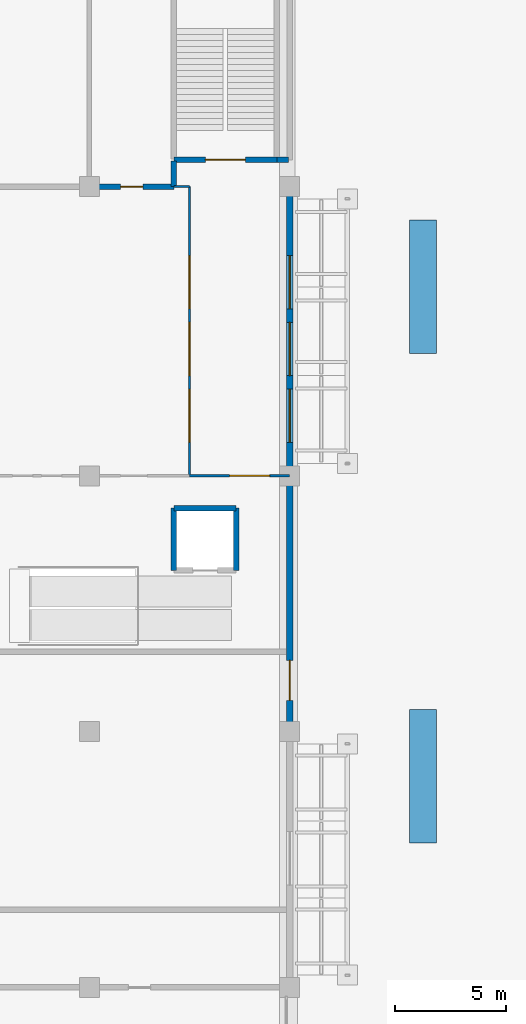
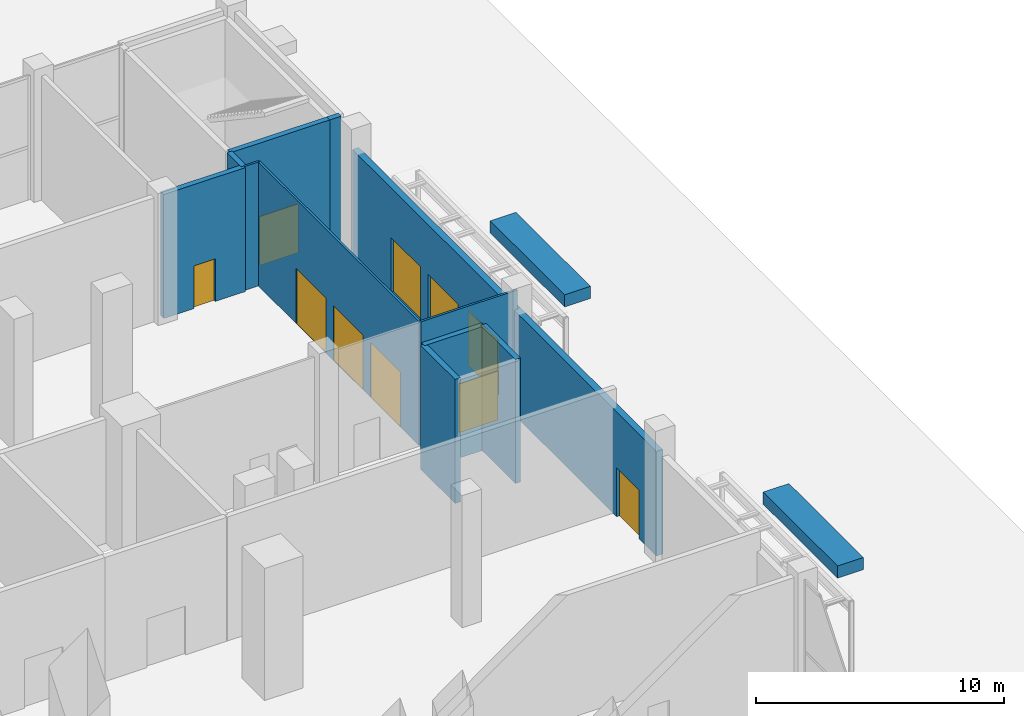
# One storey, part 35 of 39: 14 walls, 10 doors, 10 openings.
"""IFC4 building model written with IfcOpenShell, lengths in metres."""

from ifc_helpers import new_model, si_unit, direction, frame, frame_2d, origin, place, context, subcontext, project, spatial, rectangle, extrude, material, layer, layer_set, type_object, element, fill, save


model = new_model("IFC4")

# Units and contexts
model_context = context("Model", 3, precision=1e-05, world=origin(), true_north=direction((0.0, 1.0)))
body_context = subcontext(model_context, "Body", "Model", "MODEL_VIEW")
ifc_project = project(units=[si_unit("LENGTHUNIT", "METRE"), si_unit("AREAUNIT", "SQUARE_METRE"), si_unit("VOLUMEUNIT", "CUBIC_METRE"), si_unit("PLANEANGLEUNIT", "RADIAN"), si_unit("MASSUNIT", "GRAM", prefix="KILO")], contexts=[model_context])

# Site, building, storey
site_placement = place(None, origin())
site = spatial("IfcSite", under=ifc_project, at=site_placement, CompositionType="ELEMENT")
building_placement = place(site_placement, origin())
building = spatial("IfcBuilding", under=site, at=building_placement, Name="Brigalow Station Residences", CompositionType="ELEMENT")
storey_placement = place(building_placement, origin())
storey = spatial("IfcBuildingStorey", under=building, at=storey_placement, Name="L00", CompositionType="ELEMENT", Elevation=0.0)

# Wall, openings, doors
ifc_material_1 = material(Name="Glass and aluminium shopfront on a masonry base", Category="masonry")
ifc_layer_1 = layer(ifc_material_1, 0.300048828125)
ifc_layer_set_1 = layer_set([ifc_layer_1], Name="ENTRANCE INFILL 300")
wall_type_1 = type_object("IfcWallType", Name="ENTRANCE INFILL 300", PredefinedType="SOLIDWALL", material=ifc_layer_set_1)
wall_1_placement = place(storey_placement, frame((90.0, 35.5, 0.0), z_axis=(0.0, 0.0, 1.0), x_axis=(0.0, 1.0, 0.0)))
wall_1 = element("IfcWall", 1, at=wall_1_placement, inside=storey, type_object=wall_type_1, Name="Entrance Infill 300 East Entrance Vestibule / OUT", PredefinedType="SOLIDWALL", context=body_context, shape_type="SweptSolid", body=[
    extrude(rectangle(XDim=13.0, YDim=0.300048828125, at=frame_2d((6.5, 0.0))), origin(), (0.0, 0.0, 1.0), 5.14794921875),
])
opening_1_placement = place(wall_1_placement, frame((1.5, 0.0, 0.0)))
opening_1 = element("IfcOpeningElement", 2, at=opening_1_placement, cuts=wall_1, Name="Opening D-7117", PredefinedType="OPENING", context=body_context, shape_type="SweptSolid", body=[
    extrude(rectangle(XDim=2.39990234375, YDim=2.699951171875, at=frame_2d((1.199951171875, 1.35009765625))), frame((0.0, 0.16015625, 0.0), z_axis=(0.0, -1.0, 0.0), x_axis=(1.0, 0.0, 0.0)), (0.0, 0.0, 1.0), 0.320068359375),
])
opening_2_placement = place(wall_1_placement, frame((4.5, 0.0, 0.0)))
opening_2 = element("IfcOpeningElement", 3, at=opening_2_placement, cuts=wall_1, Name="Opening D-7118", PredefinedType="OPENING", context=body_context, shape_type="SweptSolid", body=[
    extrude(rectangle(XDim=2.39990234375, YDim=2.699951171875, at=frame_2d((1.199951171875, 1.35009765625))), frame((0.0, 0.16015625, 0.0), z_axis=(0.0, -1.0, 0.0), x_axis=(1.0, 0.0, 0.0)), (0.0, 0.0, 1.0), 0.320068359375),
])
opening_3_placement = place(wall_1_placement, frame((7.5, 0.0, 0.0)))
opening_3 = element("IfcOpeningElement", 4, at=opening_3_placement, cuts=wall_1, Name="Opening D-7119", PredefinedType="OPENING", context=body_context, shape_type="SweptSolid", body=[
    extrude(rectangle(XDim=2.39990234375, YDim=2.699951171875, at=frame_2d((1.199951171875, 1.35009765625))), frame((0.0, 0.16015625, 0.0), z_axis=(0.0, -1.0, 0.0), x_axis=(1.0, 0.0, 0.0)), (0.0, 0.0, 1.0), 0.320068359375),
])
ifc_material_2 = material(Name="Fire-rated glass leaves in steel frame", Category="steel")
door_type_1 = type_object("IfcDoorType", Name="DOOR DOUBLE 2400 GLAZED FIRE", OperationType="DOUBLE_DOOR_SINGLE_SWING", PredefinedType="DOOR", material=ifc_material_2)
door_1_placement = place(opening_1_placement, frame((2.39990234375, 0.0, 0.0), z_axis=(0.0, 0.0, 1.0), x_axis=(-1.0, 0.0, 0.0)))
door_1 = element("IfcDoor", 5, at=door_1_placement, inside=storey, type_object=door_type_1, Name="East entrance outer door 1", OperationType="DOUBLE_DOOR_SINGLE_SWING", OverallHeight=2.699951171875, OverallWidth=2.39990234375, PredefinedType="DOOR", context=body_context, shape_type="SweptSolid", body=[
    extrude(rectangle(XDim=2.39990234375, YDim=2.699951171875, at=frame_2d((1.199951171875, 1.35009765625))), frame((0.0, 0.02490234375, 0.0), z_axis=(0.0, -1.0, 0.0), x_axis=(1.0, 0.0, 0.0)), (0.0, 0.0, 1.0), 0.050048828125),
])
fill(opening_1, door_1)
door_2_placement = place(opening_2_placement, frame((2.39990234375, 0.0, 0.0), z_axis=(0.0, 0.0, 1.0), x_axis=(-1.0, 0.0, 0.0)))
door_2 = element("IfcDoor", 6, at=door_2_placement, inside=storey, type_object=door_type_1, Name="East entrance outer door 2", OperationType="DOUBLE_DOOR_SINGLE_SWING", OverallHeight=2.699951171875, OverallWidth=2.39990234375, PredefinedType="DOOR", context=body_context, shape_type="SweptSolid", body=[
    extrude(rectangle(XDim=2.39990234375, YDim=2.699951171875, at=frame_2d((1.199951171875, 1.35009765625))), frame((0.0, 0.02490234375, 0.0), z_axis=(0.0, -1.0, 0.0), x_axis=(1.0, 0.0, 0.0)), (0.0, 0.0, 1.0), 0.050048828125),
])
fill(opening_2, door_2)
door_3_placement = place(opening_3_placement, frame((2.39990234375, 0.0, 0.0), z_axis=(0.0, 0.0, 1.0), x_axis=(-1.0, 0.0, 0.0)))
door_3 = element("IfcDoor", 7, at=door_3_placement, inside=storey, type_object=door_type_1, Name="East entrance outer door 3", OperationType="DOUBLE_DOOR_SINGLE_SWING", OverallHeight=2.699951171875, OverallWidth=2.39990234375, PredefinedType="DOOR", context=body_context, shape_type="SweptSolid", body=[
    extrude(rectangle(XDim=2.39990234375, YDim=2.699951171875, at=frame_2d((1.199951171875, 1.35009765625))), frame((0.0, 0.02490234375, 0.0), z_axis=(0.0, -1.0, 0.0), x_axis=(1.0, 0.0, 0.0)), (0.0, 0.0, 1.0), 0.050048828125),
])
fill(opening_3, door_3)

# Wall, opening, door
wall_2_placement = place(storey_placement, frame((90.0, 24.0, 0.0), z_axis=(0.0, 0.0, 1.0), x_axis=(0.0, 1.0, 0.0)))
wall_2 = element("IfcWall", 8, at=wall_2_placement, inside=storey, type_object=wall_type_1, Name="Entrance Infill 300 Stair S3 Exit Passage / OUT", PredefinedType="SOLIDWALL", context=body_context, shape_type="SweptSolid", body=[
    extrude(rectangle(XDim=11.5, YDim=0.300048828125, at=frame_2d((5.75, 0.0))), origin(), (0.0, 0.0, 1.0), 5.14794921875),
])
opening_4_placement = place(wall_2_placement, frame((1.39990234375, 0.0, 0.0)))
opening_4 = element("IfcOpeningElement", 9, at=opening_4_placement, cuts=wall_2, Name="Opening D-7112", PredefinedType="OPENING", context=body_context, shape_type="SweptSolid", body=[
    extrude(rectangle(XDim=1.800048828125, YDim=2.39990234375, at=frame_2d((0.89990234375, 1.199951171875))), frame((0.0, 0.16015625, 0.0), z_axis=(0.0, -1.0, 0.0), x_axis=(1.0, 0.0, 0.0)), (0.0, 0.0, 1.0), 0.320068359375),
])
ifc_material_3 = material(Name="Steel fire door leaves in steel frame", Category="steel")
door_type_2 = type_object("IfcDoorType", Name="DOOR DOUBLE 1800 FIRE", OperationType="DOUBLE_DOOR_SINGLE_SWING", PredefinedType="DOOR", material=ifc_material_3)
door_4_placement = place(opening_4_placement, frame((1.800048828125, 0.0, 0.0), z_axis=(0.0, 0.0, 1.0), x_axis=(-1.0, 0.0, 0.0)))
door_4 = element("IfcDoor", 10, at=door_4_placement, inside=storey, type_object=door_type_2, Name="Stair S3 street door", OperationType="DOUBLE_DOOR_SINGLE_SWING", OverallHeight=2.39990234375, OverallWidth=1.800048828125, PredefinedType="DOOR", context=body_context, shape_type="SweptSolid", body=[
    extrude(rectangle(XDim=1.800048828125, YDim=2.39990234375, at=frame_2d((0.89990234375, 1.199951171875))), frame((0.0, 0.02490234375, 0.0), z_axis=(0.0, -1.0, 0.0), x_axis=(1.0, 0.0, 0.0)), (0.0, 0.0, 1.0), 0.050048828125),
])
fill(opening_4, door_4)

ifc_material_4 = material(Name="Fire-rated plasterboard on steel studs", Category="steel")
ifc_layer_2 = layer(ifc_material_4, 0.25)
ifc_layer_set_2 = layer_set([ifc_layer_2], Name="FIRE PARTITION 250")
wall_type_2 = type_object("IfcWallType", Name="FIRE PARTITION 250", PredefinedType="PARTITIONING", material=ifc_layer_set_2)
wall_3_placement = place(storey_placement, frame((81.0, 48.5, 0.0), z_axis=(0.0, 0.0, 1.0), x_axis=(1.0, 0.0, 0.0)))
wall_3 = element("IfcWall", 11, at=wall_3_placement, inside=storey, type_object=wall_type_2, Name="Fire Partition 250 Concourse / Bookshop", PredefinedType="PARTITIONING", context=body_context, shape_type="SweptSolid", body=[
    extrude(rectangle(XDim=3.800048828125, YDim=0.25, at=frame_2d((1.89990234375, 0.0))), origin(), (0.0, 0.0, 1.0), 6.097900390625),
])
opening_5_placement = place(wall_3_placement, frame((1.39990234375, 0.0, 0.0)))
opening_5 = element("IfcOpeningElement", 12, at=opening_5_placement, cuts=wall_3, Name="Opening D-7148", PredefinedType="OPENING", context=body_context, shape_type="SweptSolid", body=[
    extrude(rectangle(XDim=1.0, YDim=2.10009765625, at=frame_2d((0.5, 1.050048828125))), frame((0.0, 0.135009765625, 0.0), z_axis=(0.0, -1.0, 0.0), x_axis=(1.0, 0.0, 0.0)), (0.0, 0.0, 1.0), 0.27001953125),
])
ifc_material_5 = material(Name="Steel fire door leaf in steel frame", Category="steel")
door_type_3 = type_object("IfcDoorType", Name="DOOR SINGLE 1000 FIRE", OperationType="SINGLE_SWING_LEFT", PredefinedType="DOOR", material=ifc_material_5)
door_5_placement = place(opening_5_placement, origin())
door_5 = element("IfcDoor", 13, at=door_5_placement, inside=storey, type_object=door_type_3, Name="Bookshop door", OperationType="SINGLE_SWING_LEFT", OverallHeight=2.10009765625, OverallWidth=1.0, PredefinedType="DOOR", context=body_context, shape_type="SweptSolid", body=[
    extrude(rectangle(XDim=1.0, YDim=2.10009765625, at=frame_2d((0.5, 1.050048828125))), frame((0.0, 0.02490234375, 0.0), z_axis=(0.0, -1.0, 0.0), x_axis=(1.0, 0.0, 0.0)), (0.0, 0.0, 1.0), 0.050048828125),
])
fill(opening_5, door_5)

# Walls
wall_4_placement = place(storey_placement, frame((89.425048828125, 49.699951171875, 0.0), z_axis=(0.0, 0.0, 1.0), x_axis=(1.0, 0.0, 0.0)))
element("IfcWall", 14, at=wall_4_placement, inside=storey, type_object=wall_type_2, Name="Fire Partition 250 East Entrance Vestibule / Exit Stair St-5 Services Riser", PredefinedType="PARTITIONING", context=body_context, shape_type="SweptSolid", body=[
    extrude(rectangle(XDim=0.530029296875, YDim=0.25, at=frame_2d((0.26513671875, 0.0))), origin(), (0.0, 0.0, 1.0), 6.097900390625),
])
wall_5_placement = place(storey_placement, frame((84.800048828125, 48.5, 0.0), z_axis=(0.0, 0.0, 1.0), x_axis=(0.0, 1.0, 0.0)))
element("IfcWall", 15, at=wall_5_placement, inside=storey, type_object=wall_type_2, Name="Fire Partition 250 East Entrance Vestibule / Bookshop", PredefinedType="PARTITIONING", context=body_context, shape_type="SweptSolid", body=[
    extrude(rectangle(XDim=1.155029296875, YDim=0.25, at=frame_2d((0.57763671875, 0.0))), origin(), (0.0, 0.0, 1.0), 6.097900390625),
])
ifc_material_6 = material(Name="Toughened glass in stainless steel frame", Category="steel")
ifc_layer_3 = layer(ifc_material_6, 0.10009765625)
ifc_layer_set_3 = layer_set([ifc_layer_3], Name="GLAZED SCREEN 100")
wall_type_3 = type_object("IfcWallType", Name="GLAZED SCREEN 100", PredefinedType="PARTITIONING", material=ifc_layer_set_3)
wall_6_placement = place(storey_placement, frame((84.800048828125, 48.5, 0.0), z_axis=(0.0, 0.0, 1.0), x_axis=(1.0, 0.0, 0.0)))
element("IfcWall", 16, at=wall_6_placement, inside=storey, type_object=wall_type_3, Name="Glazed Screen 100 Concourse / East Entrance Vestibule", PredefinedType="PARTITIONING", context=body_context, shape_type="SweptSolid", body=[
    extrude(rectangle(XDim=0.699951171875, YDim=0.10009765625, at=frame_2d((0.35009765625, 0.0))), origin(), (0.0, 0.0, 1.0), 6.097900390625),
])

# Wall, openings, doors
wall_7_placement = place(storey_placement, frame((85.5, 35.5, 0.0), z_axis=(0.0, 0.0, 1.0), x_axis=(0.0, 1.0, 0.0)))
wall_7 = element("IfcWall", 17, at=wall_7_placement, inside=storey, type_object=wall_type_3, Name="Glazed Screen 100 Concourse / East Entrance Vestibule", PredefinedType="PARTITIONING", context=body_context, shape_type="SweptSolid", body=[
    extrude(rectangle(XDim=13.0, YDim=0.10009765625, at=frame_2d((6.5, 0.0))), origin(), (0.0, 0.0, 1.0), 6.097900390625),
])
opening_6_placement = place(wall_7_placement, frame((1.5, 0.0, 0.0)))
opening_6 = element("IfcOpeningElement", 18, at=opening_6_placement, cuts=wall_7, Name="Opening D-7152", PredefinedType="OPENING", context=body_context, shape_type="SweptSolid", body=[
    extrude(rectangle(XDim=2.39990234375, YDim=2.699951171875, at=frame_2d((1.199951171875, 1.35009765625))), frame((0.0, 0.06005859375, 0.0), z_axis=(0.0, -1.0, 0.0), x_axis=(1.0, 0.0, 0.0)), (0.0, 0.0, 1.0), 0.1201171875),
])
opening_7_placement = place(wall_7_placement, frame((4.5, 0.0, 0.0)))
opening_7 = element("IfcOpeningElement", 19, at=opening_7_placement, cuts=wall_7, Name="Opening D-7153", PredefinedType="OPENING", context=body_context, shape_type="SweptSolid", body=[
    extrude(rectangle(XDim=2.39990234375, YDim=2.699951171875, at=frame_2d((1.199951171875, 1.35009765625))), frame((0.0, 0.06005859375, 0.0), z_axis=(0.0, -1.0, 0.0), x_axis=(1.0, 0.0, 0.0)), (0.0, 0.0, 1.0), 0.1201171875),
])
opening_8_placement = place(wall_7_placement, frame((7.5, 0.0, 0.0)))
opening_8 = element("IfcOpeningElement", 20, at=opening_8_placement, cuts=wall_7, Name="Opening D-7154", PredefinedType="OPENING", context=body_context, shape_type="SweptSolid", body=[
    extrude(rectangle(XDim=2.39990234375, YDim=2.699951171875, at=frame_2d((1.199951171875, 1.35009765625))), frame((0.0, 0.06005859375, 0.0), z_axis=(0.0, -1.0, 0.0), x_axis=(1.0, 0.0, 0.0)), (0.0, 0.0, 1.0), 0.1201171875),
])
door_6_placement = place(opening_6_placement, frame((2.39990234375, 0.0, 0.0), z_axis=(0.0, 0.0, 1.0), x_axis=(-1.0, 0.0, 0.0)))
door_6 = element("IfcDoor", 21, at=door_6_placement, inside=storey, type_object=door_type_1, Name="East entrance inner door", OperationType="DOUBLE_DOOR_SINGLE_SWING", OverallHeight=2.699951171875, OverallWidth=2.39990234375, PredefinedType="DOOR", context=body_context, shape_type="SweptSolid", body=[
    extrude(rectangle(XDim=2.39990234375, YDim=2.699951171875, at=frame_2d((1.199951171875, 1.35009765625))), frame((0.0, 0.02490234375, 0.0), z_axis=(0.0, -1.0, 0.0), x_axis=(1.0, 0.0, 0.0)), (0.0, 0.0, 1.0), 0.050048828125),
])
fill(opening_6, door_6)
door_7_placement = place(opening_7_placement, frame((2.39990234375, 0.0, 0.0), z_axis=(0.0, 0.0, 1.0), x_axis=(-1.0, 0.0, 0.0)))
door_7 = element("IfcDoor", 22, at=door_7_placement, inside=storey, type_object=door_type_1, Name="East entrance inner door", OperationType="DOUBLE_DOOR_SINGLE_SWING", OverallHeight=2.699951171875, OverallWidth=2.39990234375, PredefinedType="DOOR", context=body_context, shape_type="SweptSolid", body=[
    extrude(rectangle(XDim=2.39990234375, YDim=2.699951171875, at=frame_2d((1.199951171875, 1.35009765625))), frame((0.0, 0.02490234375, 0.0), z_axis=(0.0, -1.0, 0.0), x_axis=(1.0, 0.0, 0.0)), (0.0, 0.0, 1.0), 0.050048828125),
])
fill(opening_7, door_7)
door_8_placement = place(opening_8_placement, frame((2.39990234375, 0.0, 0.0), z_axis=(0.0, 0.0, 1.0), x_axis=(-1.0, 0.0, 0.0)))
door_8 = element("IfcDoor", 23, at=door_8_placement, inside=storey, type_object=door_type_1, Name="East entrance inner door", OperationType="DOUBLE_DOOR_SINGLE_SWING", OverallHeight=2.699951171875, OverallWidth=2.39990234375, PredefinedType="DOOR", context=body_context, shape_type="SweptSolid", body=[
    extrude(rectangle(XDim=2.39990234375, YDim=2.699951171875, at=frame_2d((1.199951171875, 1.35009765625))), frame((0.0, 0.02490234375, 0.0), z_axis=(0.0, -1.0, 0.0), x_axis=(1.0, 0.0, 0.0)), (0.0, 0.0, 1.0), 0.050048828125),
])
fill(opening_8, door_8)

# Wall, opening, door
wall_8_placement = place(storey_placement, frame((85.5, 35.5, 0.0), z_axis=(0.0, 0.0, 1.0), x_axis=(1.0, 0.0, 0.0)))
wall_8 = element("IfcWall", 24, at=wall_8_placement, inside=storey, type_object=wall_type_3, Name="Glazed Screen 100 East Entrance Vestibule / Station Paid Area", PredefinedType="PARTITIONING", context=body_context, shape_type="SweptSolid", body=[
    extrude(rectangle(XDim=4.5, YDim=0.10009765625, at=frame_2d((2.25, 0.0))), origin(), (0.0, 0.0, 1.0), 6.097900390625),
])
opening_9_placement = place(wall_8_placement, frame((1.800048828125, 0.0, 0.0)))
opening_9 = element("IfcOpeningElement", 25, at=opening_9_placement, cuts=wall_8, Name="Opening D-7171", PredefinedType="OPENING", context=body_context, shape_type="SweptSolid", body=[
    extrude(rectangle(XDim=1.800048828125, YDim=2.39990234375, at=frame_2d((0.89990234375, 1.199951171875))), frame((0.0, 0.06005859375, 0.0), z_axis=(0.0, -1.0, 0.0), x_axis=(1.0, 0.0, 0.0)), (0.0, 0.0, 1.0), 0.1201171875),
])
door_9_placement = place(opening_9_placement, frame((1.800048828125, 0.0, 0.0), z_axis=(0.0, 0.0, 1.0), x_axis=(-1.0, 0.0, 0.0)))
door_9 = element("IfcDoor", 26, at=door_9_placement, inside=storey, type_object=door_type_2, Name="Paid area emergency exit door", OperationType="DOUBLE_DOOR_SINGLE_SWING", OverallHeight=2.39990234375, OverallWidth=1.800048828125, PredefinedType="DOOR", context=body_context, shape_type="SweptSolid", body=[
    extrude(rectangle(XDim=1.800048828125, YDim=2.39990234375, at=frame_2d((0.89990234375, 1.199951171875))), frame((0.0, 0.02490234375, 0.0), z_axis=(0.0, -1.0, 0.0), x_axis=(1.0, 0.0, 0.0)), (0.0, 0.0, 1.0), 0.050048828125),
])
fill(opening_9, door_9)

# Walls
ifc_material_7 = material(Name="Concrete C50", Category="concrete")
ifc_layer_4 = layer(ifc_material_7, 1.199951171875)
ifc_layer_set_4 = layer_set([ifc_layer_4], Name="PLANTER 1200")
wall_type_4 = type_object("IfcWallType", Name="PLANTER 1200", PredefinedType="USERDEFINED", material=ifc_layer_set_4)
for number, where, z_axis, x_axis, name in (
    (27, (96.0, 19.0, 0.0), (0.0, 0.0, 1.0), (0.0, 1.0, 0.0), "Planter EAST-2"),
    (28, (96.0, 41.0, 0.0), (0.0, 0.0, 1.0), (0.0, 1.0, 0.0), "Planter EAST-3"),
):
    element("IfcWall", number, at=place(storey_placement, frame(where, z_axis=z_axis, x_axis=x_axis)), inside=storey, type_object=wall_type_4, Name=name, ObjectType="PLANTER", PredefinedType="USERDEFINED", context=body_context, shape_type="SweptSolid", body=[
        extrude(rectangle(XDim=6.0, YDim=1.199951171875, at=frame_2d((3.0, 0.0))), origin(), (0.0, 0.0, 1.0), 0.60009765625),
    ])
ifc_material_8 = material(Name="Concrete blockwork", Category="masonry")
ifc_layer_5 = layer(ifc_material_8, 0.25)
ifc_layer_set_5 = layer_set([ifc_layer_5], Name="SHAFT WALL 250")
wall_type_5 = type_object("IfcWallType", Name="SHAFT WALL 250", PredefinedType="SOLIDWALL", material=ifc_layer_set_5)
for number, where, z_axis, x_axis, name in (
    (29, (84.800048828125, 34.050048828125, 0.0), (0.0, 0.0, 1.0), (1.0, 0.0, 0.0), "Shaft Wall 250 Station Paid Area / Lift Shaft Lp-1"),
    (30, (84.800048828125, 31.25, 0.0), (0.0, 0.0, 1.0), (0.0, 1.0, 0.0), "Shaft Wall 250 Station Paid Area / Lift Shaft Lp-1"),
    (31, (87.60009765625, 31.25, 0.0), (0.0, 0.0, 1.0), (0.0, 1.0, 0.0), "Shaft Wall 250 Station Paid Area / Lift Shaft Lp-1"),
):
    element("IfcWall", number, at=place(storey_placement, frame(where, z_axis=z_axis, x_axis=x_axis)), inside=storey, type_object=wall_type_5, Name=name, PredefinedType="SOLIDWALL", context=body_context, shape_type="SweptSolid", body=[
        extrude(rectangle(XDim=2.800048828125, YDim=0.25, at=frame_2d((1.39990234375, 0.0))), origin(), (0.0, 0.0, 1.0), 6.097900390625),
    ])

# Wall, opening, door
ifc_material_9 = material(Name="Concrete C50", Category="concrete")
ifc_layer_6 = layer(ifc_material_9, 0.25)
ifc_layer_set_6 = layer_set([ifc_layer_6], Name="STAIR ENCLOSURE 250")
wall_type_6 = type_object("IfcWallType", Name="STAIR ENCLOSURE 250", PredefinedType="SOLIDWALL", material=ifc_layer_set_6)
wall_9_placement = place(storey_placement, frame((84.800048828125, 49.699951171875, 0.0), z_axis=(0.0, 0.0, 1.0), x_axis=(1.0, 0.0, 0.0)))
wall_9 = element("IfcWall", 32, at=wall_9_placement, inside=storey, type_object=wall_type_6, Name="Stair Enclosure 250 East Entrance Vestibule / Exit Stair St-5", PredefinedType="SOLIDWALL", context=body_context, shape_type="SweptSolid", body=[
    extrude(rectangle(XDim=4.625, YDim=0.25, at=frame_2d((2.3125, 0.0))), origin(), (0.0, 0.0, 1.0), 6.097900390625),
])
opening_10_placement = place(wall_9_placement, frame((1.4130859375, 0.0, 0.0)))
opening_10 = element("IfcOpeningElement", 33, at=opening_10_placement, cuts=wall_9, Name="Opening D-7163", PredefinedType="OPENING", context=body_context, shape_type="SweptSolid", body=[
    extrude(rectangle(XDim=1.800048828125, YDim=2.39990234375, at=frame_2d((0.89990234375, 1.199951171875))), frame((0.0, 0.135009765625, 0.0), z_axis=(0.0, -1.0, 0.0), x_axis=(1.0, 0.0, 0.0)), (0.0, 0.0, 1.0), 0.27001953125),
])
door_10_placement = place(opening_10_placement, origin())
door_10 = element("IfcDoor", 34, at=door_10_placement, inside=storey, type_object=door_type_2, Name="Exit stair ST-5 door to vestibule", OperationType="DOUBLE_DOOR_SINGLE_SWING", OverallHeight=2.39990234375, OverallWidth=1.800048828125, PredefinedType="DOOR", context=body_context, shape_type="SweptSolid", body=[
    extrude(rectangle(XDim=1.800048828125, YDim=2.39990234375, at=frame_2d((0.89990234375, 1.199951171875))), frame((0.0, 0.02490234375, 0.0), z_axis=(0.0, -1.0, 0.0), x_axis=(1.0, 0.0, 0.0)), (0.0, 0.0, 1.0), 0.050048828125),
])
fill(opening_10, door_10)

save(model, "model.ifc")
